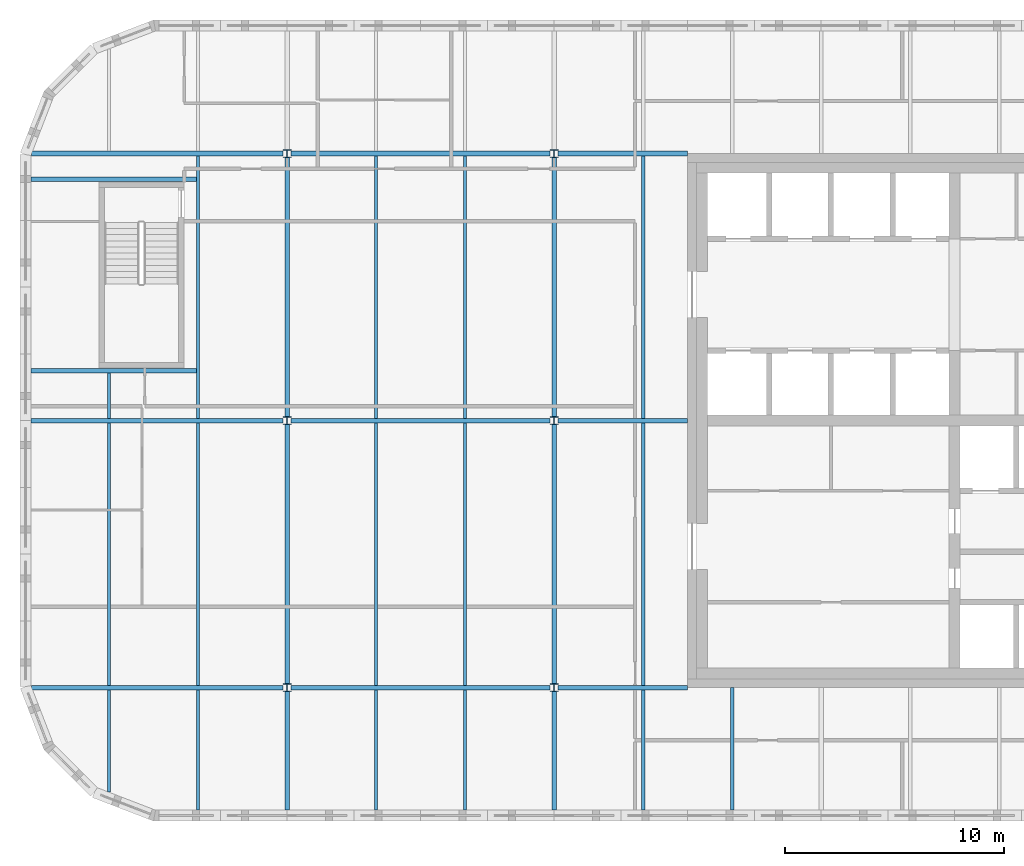
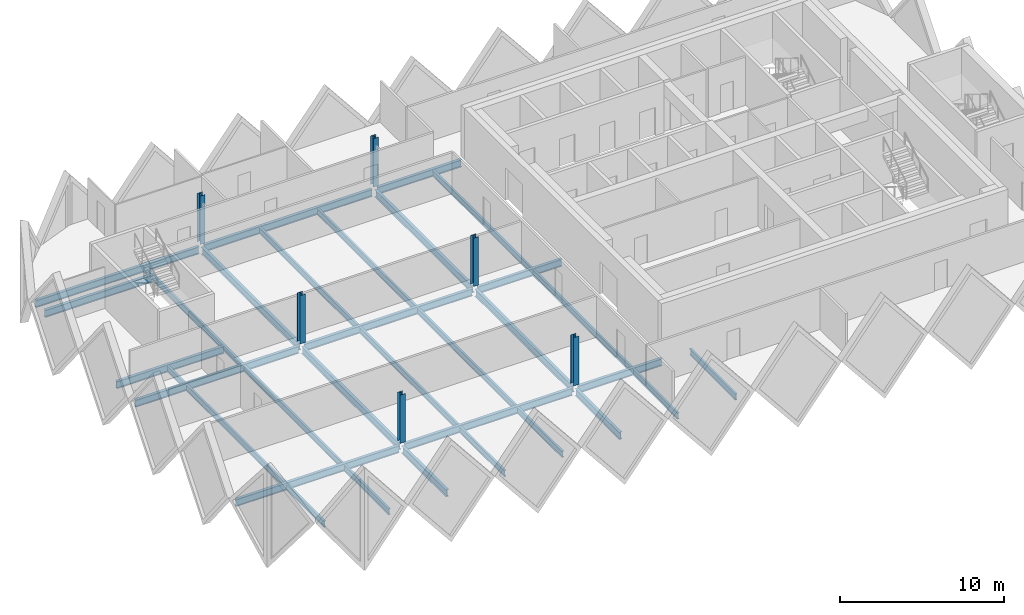
# One storey, part 1 of 10: 33 beams, 6 columns.
"""IFC4 building model written with IfcOpenShell, lengths in metres."""

import ifcopenshell
import ifcopenshell.guid

model = None  # the IFC model being written
_history = None  # IfcOwnerHistory: only IFC2X3 demands one
_inside = {}  # id of a spatial element -> (the spatial element, [elements in it])
_under = {}  # id of a project, library or spatial element -> (it, [spatial elements below it])
_declared = {}  # id of a project -> (the project, [libraries it declares])
_typed = {}  # id of a type object -> (the type object, [elements of that type])
_made_of = {}  # id of a material, layer set ... -> (it, [elements and type objects made of it])


def new_model(schema):
    """Start an empty IFC model of exactly this schema.

    Asked for "IFC4X3", IfcOpenShell would pick the latest addendum, in which some entities
    have other attributes; the version numbers below select the first issue.
    IFC2X3 requires an IfcOwnerHistory on every rooted entity: one is made here for all.
    """
    global model, _history
    if schema == "IFC4X3":
        model = ifcopenshell.file(schema_version=(4, 3, 0, 0))
    else:
        model = ifcopenshell.file(schema=schema)
    _inside.clear()
    _under.clear()
    _declared.clear()
    _typed.clear()
    _made_of.clear()
    _history = None
    if model.schema == "IFC2X3":
        org = make("IfcOrganization", Name="unknown")
        user = make(
            "IfcPersonAndOrganization",
            ThePerson=make("IfcPerson", FamilyName="unknown"),
            TheOrganization=org,
        )
        app = make(
            "IfcApplication",
            ApplicationDeveloper=org,
            Version="unknown",
            ApplicationFullName="unknown",
            ApplicationIdentifier="unknown",
        )
        _history = make(
            "IfcOwnerHistory",
            OwningUser=user,
            OwningApplication=app,
            ChangeAction="ADDED",
            CreationDate=0,
        )
    return model


def make(cls, **values):
    """One entity of the class cls with the attributes given. An attribute that is None is left unset."""
    return model.create_entity(
        cls, **{name: value for name, value in values.items() if value is not None}
    )


def rooted(cls, **values):
    """An entity with a GlobalId (a new one), such as an element, a storey or a relation."""
    return make(cls, GlobalId=ifcopenshell.guid.new(), OwnerHistory=_history, **values)


def si_unit(unit_type, name, prefix=None):
    """IfcSIUnit, for example si_unit("LENGTHUNIT", "METRE", prefix="MILLI")."""
    return make("IfcSIUnit", UnitType=unit_type, Prefix=prefix, Name=name)


def assignment(units):
    """IfcUnitAssignment: the units of a project."""
    return None if units is None else make("IfcUnitAssignment", Units=units)


def point(xyz):
    """IfcCartesianPoint."""
    return None if xyz is None else make("IfcCartesianPoint", Coordinates=xyz)


def direction(xyz):
    """IfcDirection."""
    return None if xyz is None else make("IfcDirection", DirectionRatios=xyz)


def frame(location, z_axis=None, x_axis=None):
    """IfcAxis2Placement3D, a coordinate frame: its origin and axes. An axis left out is left unset."""
    return make(
        "IfcAxis2Placement3D",
        Location=point(location),
        Axis=direction(z_axis),
        RefDirection=direction(x_axis),
    )


def frame_2d(location, x_axis=None):
    """IfcAxis2Placement2D, a coordinate frame in the plane: its origin and x axis."""
    return make(
        "IfcAxis2Placement2D", Location=point(location), RefDirection=direction(x_axis)
    )


def origin():
    """The frame at (0, 0, 0) with its axes left unset."""
    return frame((0.0, 0.0, 0.0))


def origin_2d():
    """The frame at (0, 0) in the plane with its x axis left unset."""
    return frame_2d((0.0, 0.0))


def place(relative_to, where):
    """IfcLocalPlacement: puts the frame where relative to a parent placement (None: the world)."""
    return make(
        "IfcLocalPlacement", PlacementRelTo=relative_to, RelativePlacement=where
    )


def context(
    kind, dimensions, precision=None, world=None, true_north=None, identifier=None
):
    """IfcGeometricRepresentationContext, for example the 3D "Model" context."""
    return make(
        "IfcGeometricRepresentationContext",
        ContextIdentifier=identifier,
        ContextType=kind,
        CoordinateSpaceDimension=dimensions,
        Precision=precision,
        WorldCoordinateSystem=world,
        TrueNorth=true_north,
    )


def subcontext(parent, identifier, kind, view, scale=None):
    """IfcGeometricRepresentationSubContext, for example "Body" below "Model"."""
    return make(
        "IfcGeometricRepresentationSubContext",
        ContextIdentifier=identifier,
        ContextType=kind,
        ParentContext=parent,
        TargetScale=scale,
        TargetView=view,
    )


def project(units=None, contexts=None):
    """IfcProject with its units and contexts."""
    return rooted(
        "IfcProject",
        Name="project",
        RepresentationContexts=contexts,
        UnitsInContext=assignment(units),
    )


def spatial(cls, under=None, at=None, **own):
    """A site, building, storey or space (cls), placed at a placement, below another one or the project."""
    s = rooted(cls, ObjectPlacement=at, **own)
    if under is not None:
        _under.setdefault(under.id(), (under, []))[1].append(s)
    return s


def profile(cls, at=None, kind="AREA", **sizes):
    """A parametric profile (cls). Its sizes go by their IFC names, for example OverallWidth=200.0."""
    return make(cls, ProfileType=kind, Position=at, **sizes)


def i_section(**sizes):
    """IfcIShapeProfileDef."""
    return profile("IfcIShapeProfileDef", **sizes)


def extrude(swept, where, along, depth):
    """IfcExtrudedAreaSolid: the profile swept, set in the frame where, extruded along a direction by depth."""
    return make(
        "IfcExtrudedAreaSolid",
        SweptArea=swept,
        Position=where,
        ExtrudedDirection=direction(along),
        Depth=depth,
    )


def shape(context_of_items, identifier, shape_type, items):
    """IfcShapeRepresentation: the items that make up one representation, for example the "Body"."""
    return make(
        "IfcShapeRepresentation",
        ContextOfItems=context_of_items,
        RepresentationIdentifier=identifier,
        RepresentationType=shape_type,
        Items=items,
    )


def material(Name=None, Category=None):
    """IfcMaterial."""
    return make("IfcMaterial", Name=Name, Category=Category)


def material_profile(
    of_material, cross_section, Name=None, Category=None, Priority=None
):
    """IfcMaterialProfile: a cross section and its material."""
    return make(
        "IfcMaterialProfile",
        Name=Name,
        Material=of_material,
        Profile=cross_section,
        Priority=Priority,
        Category=Category,
    )


def profile_set(profiles, Name=None, composite=None):
    """IfcMaterialProfileSet."""
    return make(
        "IfcMaterialProfileSet",
        Name=Name,
        MaterialProfiles=profiles,
        CompositeProfile=composite,
    )


def made_of(thing, what):
    """Note that an element or type object is made of a material, layer set ...; save() writes the relation."""
    if what is not None:
        _made_of.setdefault(what.id(), (what, []))[1].append(thing)
    return thing


def type_object(cls, material=None, **own):
    """A type object (cls), such as IfcWallType, which elements share."""
    return made_of(rooted(cls, **own), material)


def element(
    cls,
    number,
    at=None,
    inside=None,
    cuts=None,
    type_object=None,
    material=None,
    context=None,
    identifier="Body",
    shape_type=None,
    held_by="IfcProductDefinitionShape",
    body=None,
    shapes=None,
    **own,
):
    """One element of the class cls, such as IfcWall. Its Tag is "e" and its number.

    at: its placement. inside: the storey or other place that contains it. cuts: it is an
    opening in that element (IfcRelVoidsElement). A single representation is given by context,
    identifier, shape_type and body (its items); several are given by shapes. held_by: the class
    of the entity that holds the representations. save() writes the other relations.
    """
    e = rooted(cls, Tag="e%d" % number, ObjectPlacement=at, **own)
    if body is not None:
        shapes = [shape(context, identifier, shape_type, body)]
    if shapes is not None:
        e.Representation = make(held_by, Representations=shapes)
    if inside is not None:
        _inside.setdefault(inside.id(), (inside, []))[1].append(e)
    if cuts is not None:
        rooted(
            "IfcRelVoidsElement", RelatingBuildingElement=cuts, RelatedOpeningElement=e
        )
    if type_object is not None:
        _typed.setdefault(type_object.id(), (type_object, []))[1].append(e)
    return made_of(e, material)


def aggregate(whole, parts):
    """IfcRelAggregates: a whole, such as a stair, and the parts it consists of."""
    return rooted("IfcRelAggregates", RelatingObject=whole, RelatedObjects=parts)


def save(model, path):
    """Write the relations noted so far, then the file.

    IfcRelAggregates (storeys below a building ...), IfcRelContainedInSpatialStructure (elements
    in a storey), IfcRelDefinesByType, IfcRelAssociatesMaterial and IfcRelDeclares: one each for
    every whole, place, type object, material and project.
    """
    for whole, parts in _under.values():
        aggregate(whole, parts)
    for where, things in _inside.values():
        rooted(
            "IfcRelContainedInSpatialStructure",
            RelatedElements=things,
            RelatingStructure=where,
        )
    for kind, things in _typed.values():
        rooted("IfcRelDefinesByType", RelatedObjects=things, RelatingType=kind)
    for what, things in _made_of.values():
        rooted("IfcRelAssociatesMaterial", RelatedObjects=things, RelatingMaterial=what)
    for by, libraries in _declared.values():
        rooted("IfcRelDeclares", RelatingContext=by, RelatedDefinitions=libraries)
    model.write(path)


model = new_model("IFC4")

# Units and contexts
model_context = context("Model", 3, precision=1e-05, world=origin(), true_north=direction((0.0, 1.0)))
body_context = subcontext(model_context, "Body", "Model", "MODEL_VIEW")
ifc_project = project(units=[si_unit("LENGTHUNIT", "METRE"), si_unit("AREAUNIT", "SQUARE_METRE"), si_unit("VOLUMEUNIT", "CUBIC_METRE"), si_unit("PLANEANGLEUNIT", "RADIAN"), si_unit("MASSUNIT", "GRAM", prefix="KILO")], contexts=[model_context])

# Site, building, storey
site_placement = place(None, origin())
site = spatial("IfcSite", under=ifc_project, at=site_placement, CompositionType="ELEMENT")
building_placement = place(site_placement, origin())
building = spatial("IfcBuilding", under=site, at=building_placement, Name="Tessera Gate Towers", CompositionType="ELEMENT")
storey_placement = place(building_placement, frame((0.0, 0.0, 252.10009765625)))
storey = spatial("IfcBuildingStorey", under=building, at=storey_placement, Name="L63", CompositionType="ELEMENT", Elevation=252.10009765625)

# Columns
ifc_material_1 = material(Name="Steel 350W", Category="steel")
ifc_material_profile_1 = material_profile(ifc_material_1, i_section(OverallWidth=0.368896484375, OverallDepth=0.35595703125, WebThickness=0.01123046875, FlangeThickness=0.01806640625, at=origin_2d()), Name="W360x134")
ifc_profile_set_1 = profile_set([ifc_material_profile_1], Name="Steel 350W")
column_type = type_object("IfcColumnType", Name="STEEL COLUMN W360x134", PredefinedType="COLUMN", material=ifc_profile_set_1)
for number, where, z_axis, x_axis, name in (
    (1, (12.199951171875, 24.39990234375, 0.0), (0.0, 0.0, 1.0), (1.0, 0.0, 0.0), "T1-COL-2C-L63"),
    (2, (12.199951171875, 36.60009765625, 0.0), (0.0, 0.0, 1.0), (1.0, 0.0, 0.0), "T1-COL-2D-L63"),
    (3, (12.199951171875, 48.800048828125, 0.0), (0.0, 0.0, 1.0), (1.0, 0.0, 0.0), "T1-COL-2E-L63"),
    (4, (24.39990234375, 24.39990234375, 0.0), (0.0, 0.0, 1.0), (1.0, 0.0, 0.0), "T1-COL-3C-L63"),
    (5, (24.39990234375, 36.60009765625, 0.0), (0.0, 0.0, 1.0), (1.0, 0.0, 0.0), "T1-COL-3D-L63"),
    (6, (24.39990234375, 48.800048828125, 0.0), (0.0, 0.0, 1.0), (1.0, 0.0, 0.0), "T1-COL-3E-L63"),
):
    element("IfcColumn", number, at=place(storey_placement, frame(where, z_axis=z_axis, x_axis=x_axis)), inside=storey, type_object=column_type, Name=name, PredefinedType="COLUMN", context=body_context, shape_type="SweptSolid", body=[
        extrude(i_section(OverallWidth=0.368896484375, OverallDepth=0.35595703125, WebThickness=0.01123046875, FlangeThickness=0.01806640625, at=origin_2d()), origin(), (0.0, 0.0, 1.0), 3.599853515625),
    ])

# Beams
ifc_material_2 = material(Name="Steel 350W", Category="steel")
ifc_material_profile_2 = material_profile(ifc_material_2, i_section(OverallWidth=0.208984375, OverallDepth=0.532958984375, WebThickness=0.01025390625, FlangeThickness=0.015625, at=origin_2d()), Name="W530x92")
ifc_profile_set_2 = profile_set([ifc_material_profile_2], Name="Steel 350W")
beam_type_1 = type_object("IfcBeamType", Name="FLOOR GIRDER W530x92", PredefinedType="BEAM", material=ifc_profile_set_2)
beam_1_placement = place(storey_placement, frame((0.534912109375, 24.39990234375, -0.466552734375), z_axis=(1.0, 0.0, 0.0), x_axis=(0.0, 1.0, 0.0)))
element("IfcBeam", 7, at=beam_1_placement, inside=storey, type_object=beam_type_1, Name="T1-GD-L63-6186", PredefinedType="BEAM", context=body_context, shape_type="SweptSolid", body=[
    extrude(i_section(OverallWidth=0.208984375, OverallDepth=0.532958984375, WebThickness=0.01025390625, FlangeThickness=0.015625, at=origin_2d()), origin(), (0.0, 0.0, 1.0), 11.48046875),
])
beam_2_placement = place(storey_placement, frame((12.384521484375, 24.39990234375, -0.466552734375), z_axis=(1.0, 0.0, 0.0), x_axis=(0.0, 1.0, 0.0)))
element("IfcBeam", 8, at=beam_2_placement, inside=storey, type_object=beam_type_1, Name="T1-GD-L63-6187", PredefinedType="BEAM", context=body_context, shape_type="SweptSolid", body=[
    extrude(i_section(OverallWidth=0.208984375, OverallDepth=0.532958984375, WebThickness=0.01025390625, FlangeThickness=0.015625, at=origin_2d()), origin(), (0.0, 0.0, 1.0), 11.8310546875),
])
beam_3_placement = place(storey_placement, frame((24.58447265625, 24.39990234375, -0.466552734375), z_axis=(1.0, 0.0, 0.0), x_axis=(0.0, 1.0, 0.0)))
element("IfcBeam", 9, at=beam_3_placement, inside=storey, type_object=beam_type_1, Name="T1-GD-L63-6188", PredefinedType="BEAM", context=body_context, shape_type="SweptSolid", body=[
    extrude(i_section(OverallWidth=0.208984375, OverallDepth=0.532958984375, WebThickness=0.01025390625, FlangeThickness=0.015625, at=origin_2d()), origin(), (0.0, 0.0, 1.0), 5.91455078125),
])
beam_4_placement = place(storey_placement, frame((0.4990234375, 36.60009765625, -0.466552734375), z_axis=(1.0, 0.0, 0.0), x_axis=(0.0, 1.0, 0.0)))
element("IfcBeam", 10, at=beam_4_placement, inside=storey, type_object=beam_type_1, Name="T1-GD-L63-6190", PredefinedType="BEAM", context=body_context, shape_type="SweptSolid", body=[
    extrude(i_section(OverallWidth=0.208984375, OverallDepth=0.532958984375, WebThickness=0.01025390625, FlangeThickness=0.015625, at=origin_2d()), origin(), (0.0, 0.0, 1.0), 11.516357421875),
])
beam_5_placement = place(storey_placement, frame((12.384521484375, 36.60009765625, -0.466552734375), z_axis=(1.0, 0.0, 0.0), x_axis=(0.0, 1.0, 0.0)))
element("IfcBeam", 11, at=beam_5_placement, inside=storey, type_object=beam_type_1, Name="T1-GD-L63-6191", PredefinedType="BEAM", context=body_context, shape_type="SweptSolid", body=[
    extrude(i_section(OverallWidth=0.208984375, OverallDepth=0.532958984375, WebThickness=0.01025390625, FlangeThickness=0.015625, at=origin_2d()), origin(), (0.0, 0.0, 1.0), 11.8310546875),
])
beam_6_placement = place(storey_placement, frame((24.58447265625, 36.60009765625, -0.466552734375), z_axis=(1.0, 0.0, 0.0), x_axis=(0.0, 1.0, 0.0)))
element("IfcBeam", 12, at=beam_6_placement, inside=storey, type_object=beam_type_1, Name="T1-GD-L63-6192", PredefinedType="BEAM", context=body_context, shape_type="SweptSolid", body=[
    extrude(i_section(OverallWidth=0.208984375, OverallDepth=0.532958984375, WebThickness=0.01025390625, FlangeThickness=0.015625, at=origin_2d()), origin(), (0.0, 0.0, 1.0), 5.91650390625),
])
beam_7_placement = place(storey_placement, frame((0.534912109375, 48.800048828125, -0.466552734375), z_axis=(1.0, 0.0, 0.0), x_axis=(0.0, 1.0, 0.0)))
element("IfcBeam", 13, at=beam_7_placement, inside=storey, type_object=beam_type_1, Name="T1-GD-L63-6194", PredefinedType="BEAM", context=body_context, shape_type="SweptSolid", body=[
    extrude(i_section(OverallWidth=0.208984375, OverallDepth=0.532958984375, WebThickness=0.01025390625, FlangeThickness=0.015625, at=origin_2d()), origin(), (0.0, 0.0, 1.0), 11.48046875),
])
beam_8_placement = place(storey_placement, frame((12.384521484375, 48.800048828125, -0.466552734375), z_axis=(1.0, 0.0, 0.0), x_axis=(0.0, 1.0, 0.0)))
element("IfcBeam", 14, at=beam_8_placement, inside=storey, type_object=beam_type_1, Name="T1-GD-L63-6195", PredefinedType="BEAM", context=body_context, shape_type="SweptSolid", body=[
    extrude(i_section(OverallWidth=0.208984375, OverallDepth=0.532958984375, WebThickness=0.01025390625, FlangeThickness=0.015625, at=origin_2d()), origin(), (0.0, 0.0, 1.0), 11.8310546875),
])
beam_9_placement = place(storey_placement, frame((24.58447265625, 48.800048828125, -0.466552734375), z_axis=(1.0, 0.0, 0.0), x_axis=(0.0, 1.0, 0.0)))
element("IfcBeam", 15, at=beam_9_placement, inside=storey, type_object=beam_type_1, Name="T1-GD-L63-6196", PredefinedType="BEAM", context=body_context, shape_type="SweptSolid", body=[
    extrude(i_section(OverallWidth=0.208984375, OverallDepth=0.532958984375, WebThickness=0.01025390625, FlangeThickness=0.015625, at=origin_2d()), origin(), (0.0, 0.0, 1.0), 5.91455078125),
])
beam_10_placement = place(storey_placement, frame((12.199951171875, 18.799072265625, -0.466552734375), z_axis=(0.0, 1.0, 0.0), x_axis=(-1.0, 0.0, 0.0)))
element("IfcBeam", 16, at=beam_10_placement, inside=storey, type_object=beam_type_1, Name="T1-GD-L63-6198", PredefinedType="BEAM", context=body_context, shape_type="SweptSolid", body=[
    extrude(i_section(OverallWidth=0.208984375, OverallDepth=0.532958984375, WebThickness=0.01025390625, FlangeThickness=0.015625, at=origin_2d()), origin(), (0.0, 0.0, 1.0), 5.41650390625),
])
for number, where, z_axis, x_axis, name in (
    (17, (12.199951171875, 24.58447265625, -0.466552734375), (0.0, 1.0, 0.0), (-1.0, 0.0, 0.0), "T1-GD-L63-6199"),
    (18, (12.199951171875, 36.784423828125, -0.466552734375), (0.0, 1.0, 0.0), (-1.0, 0.0, 0.0), "T1-GD-L63-6200"),
):
    element("IfcBeam", number, at=place(storey_placement, frame(where, z_axis=z_axis, x_axis=x_axis)), inside=storey, type_object=beam_type_1, Name=name, PredefinedType="BEAM", context=body_context, shape_type="SweptSolid", body=[
        extrude(i_section(OverallWidth=0.208984375, OverallDepth=0.532958984375, WebThickness=0.01025390625, FlangeThickness=0.015625, at=origin_2d()), origin(), (0.0, 0.0, 1.0), 11.8310546875),
    ])
beam_11_placement = place(storey_placement, frame((24.39990234375, 18.799072265625, -0.466552734375), z_axis=(0.0, 1.0, 0.0), x_axis=(-1.0, 0.0, 0.0)))
element("IfcBeam", 19, at=beam_11_placement, inside=storey, type_object=beam_type_1, Name="T1-GD-L63-6202", PredefinedType="BEAM", context=body_context, shape_type="SweptSolid", body=[
    extrude(i_section(OverallWidth=0.208984375, OverallDepth=0.532958984375, WebThickness=0.01025390625, FlangeThickness=0.015625, at=origin_2d()), origin(), (0.0, 0.0, 1.0), 5.41650390625),
])
for number, where, z_axis, x_axis, name in (
    (20, (24.39990234375, 24.58447265625, -0.466552734375), (0.0, 1.0, 0.0), (-1.0, 0.0, 0.0), "T1-GD-L63-6203"),
    (21, (24.39990234375, 36.784423828125, -0.466552734375), (0.0, 1.0, 0.0), (-1.0, 0.0, 0.0), "T1-GD-L63-6204"),
):
    element("IfcBeam", number, at=place(storey_placement, frame(where, z_axis=z_axis, x_axis=x_axis)), inside=storey, type_object=beam_type_1, Name=name, PredefinedType="BEAM", context=body_context, shape_type="SweptSolid", body=[
        extrude(i_section(OverallWidth=0.208984375, OverallDepth=0.532958984375, WebThickness=0.01025390625, FlangeThickness=0.015625, at=origin_2d()), origin(), (0.0, 0.0, 1.0), 11.8310546875),
    ])
for number, where, z_axis, x_axis, name in (
    (22, (0.4990234375, 38.8798828125, -0.466552734375), (1.0, 0.0, 0.0), (0.0, 1.0, 0.0), "T1-GD-L63-6208"),
    (23, (0.4990234375, 47.6201171875, -0.466552734375), (1.0, 0.0, 0.0), (0.0, 1.0, 0.0), "T1-GD-L63-6209"),
):
    element("IfcBeam", number, at=place(storey_placement, frame(where, z_axis=z_axis, x_axis=x_axis)), inside=storey, type_object=beam_type_1, Name=name, PredefinedType="BEAM", context=body_context, shape_type="SweptSolid", body=[
        extrude(i_section(OverallWidth=0.208984375, OverallDepth=0.532958984375, WebThickness=0.01025390625, FlangeThickness=0.015625, at=origin_2d()), origin(), (0.0, 0.0, 1.0), 7.557861328125),
    ])
ifc_material_3 = material(Name="Steel 350W", Category="steel")
ifc_material_profile_3 = material_profile(ifc_material_3, i_section(OverallWidth=0.153076171875, OverallDepth=0.455078125, WebThickness=0.008056640625, FlangeThickness=0.01318359375, at=origin_2d()), Name="W460x60")
ifc_profile_set_3 = profile_set([ifc_material_profile_3], Name="Steel 350W")
beam_type_2 = type_object("IfcBeamType", Name="FLOOR SECONDARY W460x60", PredefinedType="BEAM", material=ifc_profile_set_3)
beam_12_placement = place(storey_placement, frame((4.066650390625, 19.620361328125, -0.427490234375), z_axis=(0.0, 1.0, 0.0), x_axis=(-1.0, 0.0, 0.0)))
element("IfcBeam", 24, at=beam_12_placement, inside=storey, type_object=beam_type_2, Name="T1-BM-L63-6213", PredefinedType="BEAM", context=body_context, shape_type="SweptSolid", body=[
    extrude(i_section(OverallWidth=0.153076171875, OverallDepth=0.455078125, WebThickness=0.008056640625, FlangeThickness=0.01318359375, at=origin_2d()), origin(), (0.0, 0.0, 1.0), 4.675048828125),
])
beam_13_placement = place(storey_placement, frame((4.066650390625, 24.50439453125, -0.427490234375), z_axis=(0.0, 1.0, 0.0), x_axis=(-1.0, 0.0, 0.0)))
element("IfcBeam", 25, at=beam_13_placement, inside=storey, type_object=beam_type_2, Name="T1-BM-L63-6214", PredefinedType="BEAM", context=body_context, shape_type="SweptSolid", body=[
    extrude(i_section(OverallWidth=0.153076171875, OverallDepth=0.455078125, WebThickness=0.008056640625, FlangeThickness=0.01318359375, at=origin_2d()), origin(), (0.0, 0.0, 1.0), 11.9912109375),
])
beam_14_placement = place(storey_placement, frame((4.066650390625, 36.70458984375, -0.427490234375), z_axis=(0.0, 1.0, 0.0), x_axis=(-1.0, 0.0, 0.0)))
element("IfcBeam", 26, at=beam_14_placement, inside=storey, type_object=beam_type_2, Name="T1-BM-L63-6215", PredefinedType="BEAM", context=body_context, shape_type="SweptSolid", body=[
    extrude(i_section(OverallWidth=0.153076171875, OverallDepth=0.455078125, WebThickness=0.008056640625, FlangeThickness=0.01318359375, at=origin_2d()), origin(), (0.0, 0.0, 1.0), 2.07080078125),
])
beam_15_placement = place(storey_placement, frame((8.13330078125, 18.800048828125, -0.427490234375), z_axis=(0.0, 1.0, 0.0), x_axis=(-1.0, 0.0, 0.0)))
element("IfcBeam", 27, at=beam_15_placement, inside=storey, type_object=beam_type_2, Name="T1-BM-L63-6217", PredefinedType="BEAM", context=body_context, shape_type="SweptSolid", body=[
    extrude(i_section(OverallWidth=0.153076171875, OverallDepth=0.455078125, WebThickness=0.008056640625, FlangeThickness=0.01318359375, at=origin_2d()), origin(), (0.0, 0.0, 1.0), 5.495361328125),
])
beam_16_placement = place(storey_placement, frame((8.13330078125, 24.50439453125, -0.427490234375), z_axis=(0.0, 1.0, 0.0), x_axis=(-1.0, 0.0, 0.0)))
element("IfcBeam", 28, at=beam_16_placement, inside=storey, type_object=beam_type_2, Name="T1-BM-L63-6218", PredefinedType="BEAM", context=body_context, shape_type="SweptSolid", body=[
    extrude(i_section(OverallWidth=0.153076171875, OverallDepth=0.455078125, WebThickness=0.008056640625, FlangeThickness=0.01318359375, at=origin_2d()), origin(), (0.0, 0.0, 1.0), 11.9912109375),
])
beam_17_placement = place(storey_placement, frame((8.13330078125, 36.70458984375, -0.427490234375), z_axis=(0.0, 1.0, 0.0), x_axis=(-1.0, 0.0, 0.0)))
element("IfcBeam", 29, at=beam_17_placement, inside=storey, type_object=beam_type_2, Name="T1-BM-L63-6219", PredefinedType="BEAM", context=body_context, shape_type="SweptSolid", body=[
    extrude(i_section(OverallWidth=0.153076171875, OverallDepth=0.455078125, WebThickness=0.008056640625, FlangeThickness=0.01318359375, at=origin_2d()), origin(), (0.0, 0.0, 1.0), 11.990966796875),
])
beam_18_placement = place(storey_placement, frame((16.2666015625, 18.800048828125, -0.427490234375), z_axis=(0.0, 1.0, 0.0), x_axis=(-1.0, 0.0, 0.0)))
element("IfcBeam", 30, at=beam_18_placement, inside=storey, type_object=beam_type_2, Name="T1-BM-L63-6221", PredefinedType="BEAM", context=body_context, shape_type="SweptSolid", body=[
    extrude(i_section(OverallWidth=0.153076171875, OverallDepth=0.455078125, WebThickness=0.008056640625, FlangeThickness=0.01318359375, at=origin_2d()), origin(), (0.0, 0.0, 1.0), 5.495361328125),
])
beam_19_placement = place(storey_placement, frame((16.2666015625, 24.50439453125, -0.427490234375), z_axis=(0.0, 1.0, 0.0), x_axis=(-1.0, 0.0, 0.0)))
element("IfcBeam", 31, at=beam_19_placement, inside=storey, type_object=beam_type_2, Name="T1-BM-L63-6222", PredefinedType="BEAM", context=body_context, shape_type="SweptSolid", body=[
    extrude(i_section(OverallWidth=0.153076171875, OverallDepth=0.455078125, WebThickness=0.008056640625, FlangeThickness=0.01318359375, at=origin_2d()), origin(), (0.0, 0.0, 1.0), 11.9912109375),
])
beam_20_placement = place(storey_placement, frame((16.2666015625, 36.70458984375, -0.427490234375), z_axis=(0.0, 1.0, 0.0), x_axis=(-1.0, 0.0, 0.0)))
element("IfcBeam", 32, at=beam_20_placement, inside=storey, type_object=beam_type_2, Name="T1-BM-L63-6223", PredefinedType="BEAM", context=body_context, shape_type="SweptSolid", body=[
    extrude(i_section(OverallWidth=0.153076171875, OverallDepth=0.455078125, WebThickness=0.008056640625, FlangeThickness=0.01318359375, at=origin_2d()), origin(), (0.0, 0.0, 1.0), 11.990966796875),
])
beam_21_placement = place(storey_placement, frame((20.333251953125, 18.800048828125, -0.427490234375), z_axis=(0.0, 1.0, 0.0), x_axis=(-1.0, 0.0, 0.0)))
element("IfcBeam", 33, at=beam_21_placement, inside=storey, type_object=beam_type_2, Name="T1-BM-L63-6225", PredefinedType="BEAM", context=body_context, shape_type="SweptSolid", body=[
    extrude(i_section(OverallWidth=0.153076171875, OverallDepth=0.455078125, WebThickness=0.008056640625, FlangeThickness=0.01318359375, at=origin_2d()), origin(), (0.0, 0.0, 1.0), 5.495361328125),
])
beam_22_placement = place(storey_placement, frame((20.333251953125, 24.50439453125, -0.427490234375), z_axis=(0.0, 1.0, 0.0), x_axis=(-1.0, 0.0, 0.0)))
element("IfcBeam", 34, at=beam_22_placement, inside=storey, type_object=beam_type_2, Name="T1-BM-L63-6226", PredefinedType="BEAM", context=body_context, shape_type="SweptSolid", body=[
    extrude(i_section(OverallWidth=0.153076171875, OverallDepth=0.455078125, WebThickness=0.008056640625, FlangeThickness=0.01318359375, at=origin_2d()), origin(), (0.0, 0.0, 1.0), 11.9912109375),
])
beam_23_placement = place(storey_placement, frame((20.333251953125, 36.70458984375, -0.427490234375), z_axis=(0.0, 1.0, 0.0), x_axis=(-1.0, 0.0, 0.0)))
element("IfcBeam", 35, at=beam_23_placement, inside=storey, type_object=beam_type_2, Name="T1-BM-L63-6227", PredefinedType="BEAM", context=body_context, shape_type="SweptSolid", body=[
    extrude(i_section(OverallWidth=0.153076171875, OverallDepth=0.455078125, WebThickness=0.008056640625, FlangeThickness=0.01318359375, at=origin_2d()), origin(), (0.0, 0.0, 1.0), 11.990966796875),
])
beam_24_placement = place(storey_placement, frame((28.466796875, 18.800048828125, -0.427490234375), z_axis=(0.0, 1.0, 0.0), x_axis=(-1.0, 0.0, 0.0)))
element("IfcBeam", 36, at=beam_24_placement, inside=storey, type_object=beam_type_2, Name="T1-BM-L63-6229", PredefinedType="BEAM", context=body_context, shape_type="SweptSolid", body=[
    extrude(i_section(OverallWidth=0.153076171875, OverallDepth=0.455078125, WebThickness=0.008056640625, FlangeThickness=0.01318359375, at=origin_2d()), origin(), (0.0, 0.0, 1.0), 5.495361328125),
])
beam_25_placement = place(storey_placement, frame((28.466796875, 24.50439453125, -0.427490234375), z_axis=(0.0, 1.0, 0.0), x_axis=(-1.0, 0.0, 0.0)))
element("IfcBeam", 37, at=beam_25_placement, inside=storey, type_object=beam_type_2, Name="T1-BM-L63-6230", PredefinedType="BEAM", context=body_context, shape_type="SweptSolid", body=[
    extrude(i_section(OverallWidth=0.153076171875, OverallDepth=0.455078125, WebThickness=0.008056640625, FlangeThickness=0.01318359375, at=origin_2d()), origin(), (0.0, 0.0, 1.0), 11.9912109375),
])
beam_26_placement = place(storey_placement, frame((28.466796875, 36.70458984375, -0.427490234375), z_axis=(0.0, 1.0, 0.0), x_axis=(-1.0, 0.0, 0.0)))
element("IfcBeam", 38, at=beam_26_placement, inside=storey, type_object=beam_type_2, Name="T1-BM-L63-6231", PredefinedType="BEAM", context=body_context, shape_type="SweptSolid", body=[
    extrude(i_section(OverallWidth=0.153076171875, OverallDepth=0.455078125, WebThickness=0.008056640625, FlangeThickness=0.01318359375, at=origin_2d()), origin(), (0.0, 0.0, 1.0), 11.990966796875),
])
beam_27_placement = place(storey_placement, frame((32.533203125, 18.800048828125, -0.427490234375), z_axis=(0.0, 1.0, 0.0), x_axis=(-1.0, 0.0, 0.0)))
element("IfcBeam", 39, at=beam_27_placement, inside=storey, type_object=beam_type_2, Name="T1-BM-L63-6233", PredefinedType="BEAM", context=body_context, shape_type="SweptSolid", body=[
    extrude(i_section(OverallWidth=0.153076171875, OverallDepth=0.455078125, WebThickness=0.008056640625, FlangeThickness=0.01318359375, at=origin_2d()), origin(), (0.0, 0.0, 1.0), 5.599853515625),
])

save(model, "model.ifc")
